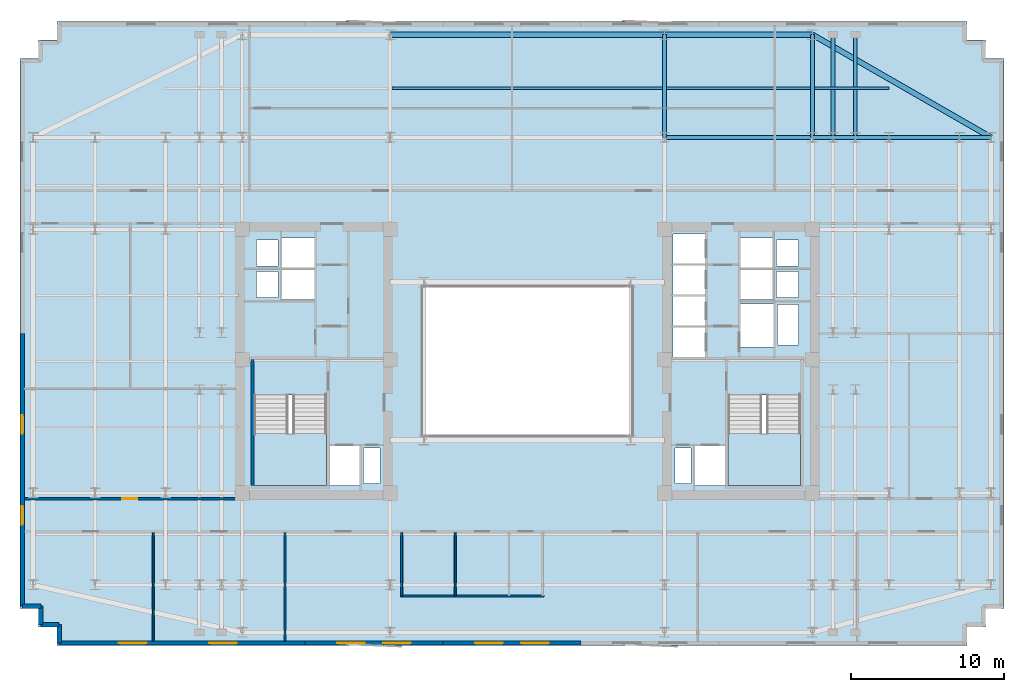
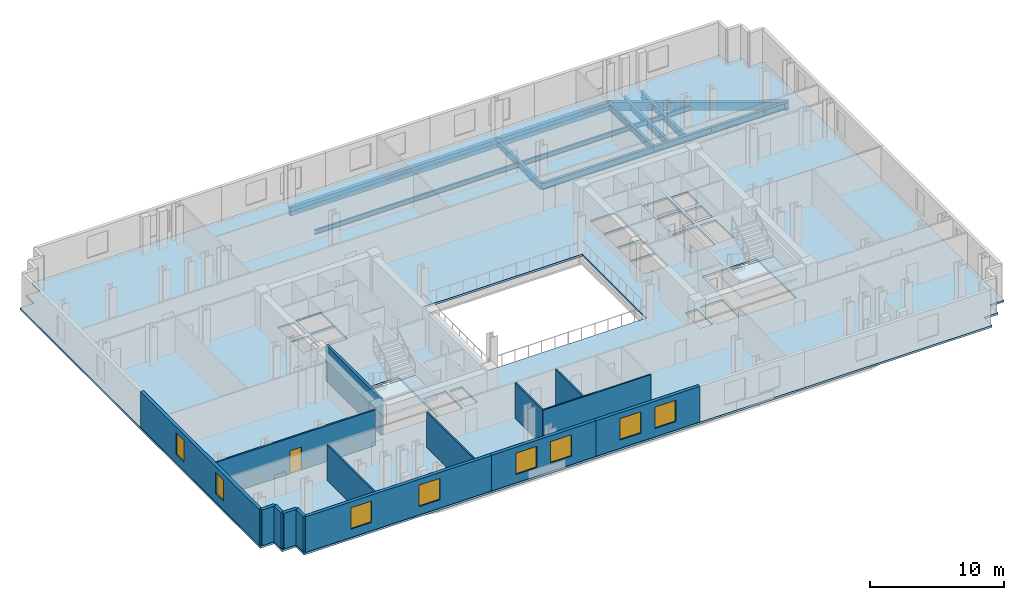
# One storey, part 3 of 10: 15 walls, 14 beams, 8 windows, 3 slabs, 1 door, 9 openings, 2 elements without a shape of their own.
"""IFC4 building model written with IfcOpenShell, lengths in metres."""

from ifc_helpers import new_model, si_unit, direction, frame, frame_2d, origin, origin_2d, place, context, subcontext, project, spatial, polyline, rectangle, i_section, outline, extrude, material, layer, layer_set, material_profile, profile_set, type_object, element, fill, aggregate, save


model = new_model("IFC4")

# Units and contexts
model_context = context("Model", 3, precision=1e-05, world=origin(), true_north=direction((0.0, 1.0)))
body_context = subcontext(model_context, "Body", "Model", "MODEL_VIEW")
ifc_project = project(units=[si_unit("LENGTHUNIT", "METRE"), si_unit("AREAUNIT", "SQUARE_METRE"), si_unit("VOLUMEUNIT", "CUBIC_METRE"), si_unit("PLANEANGLEUNIT", "RADIAN"), si_unit("MASSUNIT", "GRAM", prefix="KILO")], contexts=[model_context])

# Site, building, storey
site_placement = place(None, origin())
site = spatial("IfcSite", under=ifc_project, at=site_placement, CompositionType="ELEMENT")
building_placement = place(site_placement, origin())
building = spatial("IfcBuilding", under=site, at=building_placement, Name="Velakula Bourse", CompositionType="ELEMENT")
storey_placement = place(building_placement, frame((0.0, 0.0, 141.550048828125)))
storey = spatial("IfcBuildingStorey", under=building, at=storey_placement, Name="L38", CompositionType="ELEMENT", Elevation=141.550048828125)

# Beams
ifc_material_1 = material(Name="Steel IS 2062 Grade 350 (E350)", Category="steel")
ifc_material_profile_1 = material_profile(ifc_material_1, i_section(OverallWidth=0.25, OverallDepth=0.60009765625, WebThickness=0.01123046875, FlangeThickness=0.021240234375, at=origin_2d()), Name="Steel IS 2062 Grade 350 (E350)")
ifc_profile_set_1 = profile_set([ifc_material_profile_1], Name="Steel IS 2062 Grade 350 (E350)")
beam_type_1 = type_object("IfcBeamType", Name="BM-GRD-600M", PredefinedType="BEAM", material=ifc_profile_set_1)
beam_1_placement = place(storey_placement, frame((8.949951171875, 14.60009765625, -0.47998046875), z_axis=(1.0, 0.0, 0.0), x_axis=(0.0, 1.0, 0.0)))
element("IfcBeam", 1, at=beam_1_placement, inside=storey, type_object=beam_type_1, Name="L38 Fulcrum Grid Girder FLC-N3", PredefinedType="BEAM", context=body_context, shape_type="SweptSolid", body=[
    extrude(i_section(OverallWidth=0.25, OverallDepth=0.60009765625, WebThickness=0.01123046875, FlangeThickness=0.021240234375, at=origin_2d()), origin(), (0.0, 0.0, 1.0), 9.650146484375),
])
beam_2_placement = place(storey_placement, frame((18.60009765625, 14.60009765625, -0.47998046875), z_axis=(1.0, 0.0, 0.0), x_axis=(0.0, 1.0, 0.0)))
element("IfcBeam", 2, at=beam_2_placement, inside=storey, type_object=beam_type_1, Name="L38 Fulcrum Grid Girder MWG-EN2", PredefinedType="BEAM", context=body_context, shape_type="SweptSolid", body=[
    extrude(i_section(OverallWidth=0.25, OverallDepth=0.60009765625, WebThickness=0.01123046875, FlangeThickness=0.021240234375, at=origin_2d()), origin(), (0.0, 0.0, 1.0), 5.0),
])
beam_3_placement = place(storey_placement, frame((23.60009765625, 14.60009765625, -0.47998046875), z_axis=(1.0, 0.0, 0.0), x_axis=(0.0, 1.0, 0.0)))
element("IfcBeam", 3, at=beam_3_placement, inside=storey, type_object=beam_type_1, Name="L38 Fulcrum Grid Girder WNG-EN2", PredefinedType="BEAM", context=body_context, shape_type="SweptSolid", body=[
    extrude(i_section(OverallWidth=0.25, OverallDepth=0.60009765625, WebThickness=0.01123046875, FlangeThickness=0.021240234375, at=origin_2d()), origin(), (0.0, 0.0, 1.0), 4.599853515625),
])
for number, where, z_axis, x_axis, name in (
    (4, (8.949951171875, 14.60009765625, -0.47998046875), (0.0, 1.0, 0.0), (-1.0, 0.0, 0.0), "L38 Perimeter Tie Girder N3"),
    (5, (18.60009765625, 14.60009765625, -0.47998046875), (0.0, 1.0, 0.0), (-1.0, 0.0, 0.0), "L38 Perimeter Tie Girder N4"),
):
    element("IfcBeam", number, at=place(storey_placement, frame(where, z_axis=z_axis, x_axis=x_axis)), inside=storey, type_object=beam_type_1, Name=name, PredefinedType="BEAM", context=body_context, shape_type="SweptSolid", body=[
        extrude(i_section(OverallWidth=0.25, OverallDepth=0.60009765625, WebThickness=0.01123046875, FlangeThickness=0.021240234375, at=origin_2d()), origin(), (0.0, 0.0, 1.0), 6.699951171875),
    ])
beam_4_placement = place(storey_placement, frame((28.199951171875, 14.60009765625, -0.47998046875), z_axis=(1.0, 0.0, 0.0), x_axis=(0.0, 1.0, 0.0)))
element("IfcBeam", 6, at=beam_4_placement, inside=storey, type_object=beam_type_1, Name="L38 Perimeter Tie Girder E4", PredefinedType="BEAM", context=body_context, shape_type="SweptSolid", body=[
    extrude(i_section(OverallWidth=0.25, OverallDepth=0.60009765625, WebThickness=0.01123046875, FlangeThickness=0.021240234375, at=origin_2d()), origin(), (0.0, 0.0, 1.0), 2.050048828125),
])
for number, where, z_axis, x_axis, name in (
    (7, (19.949951171875, 14.60009765625, -0.47998046875), (0.0, 1.0, 0.0), (-1.0, 0.0, 0.0), "L38 Perimeter Tie Girder P07"),
    (8, (21.39990234375, 14.60009765625, -0.47998046875), (0.0, 1.0, 0.0), (-1.0, 0.0, 0.0), "L38 Perimeter Tie Girder P08"),
):
    element("IfcBeam", number, at=place(storey_placement, frame(where, z_axis=z_axis, x_axis=x_axis)), inside=storey, type_object=beam_type_1, Name=name, PredefinedType="BEAM", context=body_context, shape_type="SweptSolid", body=[
        extrude(i_section(OverallWidth=0.25, OverallDepth=0.60009765625, WebThickness=0.01123046875, FlangeThickness=0.021240234375, at=origin_2d()), origin(), (0.0, 0.0, 1.0), 6.699951171875),
    ])
ifc_material_profile_2 = material_profile(ifc_material_1, i_section(OverallWidth=0.14990234375, OverallDepth=0.449951171875, WebThickness=0.009521484375, FlangeThickness=0.017333984375, at=origin_2d()), Name="Steel IS 2062 Grade 350 (E350)")
ifc_profile_set_2 = profile_set([ifc_material_profile_2], Name="Steel IS 2062 Grade 350 (E350)")
beam_type_2 = type_object("IfcBeamType", Name="JST-TWR-450", PredefinedType="JOIST", material=ifc_profile_set_2)
beam_5_placement = place(storey_placement, frame((-8.824951171875, 17.800048828125, -0.405029296875), z_axis=(1.0, 0.0, 0.0), x_axis=(0.0, 1.0, 0.0)))
element("IfcBeam", 9, at=beam_5_placement, inside=storey, type_object=beam_type_2, Name="L38 Trading Floor Composite Joist 19", PredefinedType="JOIST", context=body_context, shape_type="SweptSolid", body=[
    extrude(i_section(OverallWidth=0.14990234375, OverallDepth=0.449951171875, WebThickness=0.009521484375, FlangeThickness=0.017333984375, at=origin_2d()), origin(), (0.0, 0.0, 1.0), 17.64990234375),
])
beam_6_placement = place(storey_placement, frame((9.074951171875, 17.800048828125, -0.405029296875), z_axis=(1.0, 0.0, 0.0), x_axis=(0.0, 1.0, 0.0)))
element("IfcBeam", 10, at=beam_6_placement, inside=storey, type_object=beam_type_2, Name="L38 Trading Floor Composite Joist 20", PredefinedType="JOIST", context=body_context, shape_type="SweptSolid", body=[
    extrude(i_section(OverallWidth=0.14990234375, OverallDepth=0.449951171875, WebThickness=0.009521484375, FlangeThickness=0.017333984375, at=origin_2d()), origin(), (0.0, 0.0, 1.0), 9.400146484375),
])
beam_7_placement = place(storey_placement, frame((18.72509765625, 17.800048828125, -0.405029296875), z_axis=(1.0, 0.0, 0.0), x_axis=(0.0, 1.0, 0.0)))
element("IfcBeam", 11, at=beam_7_placement, inside=storey, type_object=beam_type_2, Name="L38 Trading Floor Composite Joist 21", PredefinedType="JOIST", context=body_context, shape_type="SweptSolid", body=[
    extrude(i_section(OverallWidth=0.14990234375, OverallDepth=0.449951171875, WebThickness=0.009521484375, FlangeThickness=0.017333984375, at=origin_2d()), origin(), (0.0, 0.0, 1.0), 4.875),
])
ifc_material_2 = material(Name="Precast concrete M45 (fck 45 MPa)", Category="concrete")
ifc_material_profile_3 = material_profile(ifc_material_2, rectangle(XDim=0.35009765625, YDim=0.75, at=origin_2d()), Name="Precast concrete M45 (fck 45 MPa)")
ifc_profile_set_3 = profile_set([ifc_material_profile_3], Name="Precast concrete M45 (fck 45 MPa)")
beam_type_3 = type_object("IfcBeamType", Name="SPN-BRICK-750", PredefinedType="SPANDREL", material=ifc_profile_set_3)
beam_8_placement = place(storey_placement, frame((-8.949951171875, 21.300048828125, -0.554931640625), z_axis=(1.0, 0.0, 0.0), x_axis=(0.0, 1.0, 0.0)))
element("IfcBeam", 12, at=beam_8_placement, inside=storey, type_object=beam_type_3, Name="L38 Brick-Faced Precast Spandrel N2-N3", PredefinedType="SPANDREL", context=body_context, shape_type="SweptSolid", body=[
    extrude(rectangle(XDim=0.35009765625, YDim=0.75, at=origin_2d()), origin(), (0.0, 0.0, 1.0), 17.89990234375),
])
beam_9_placement = place(storey_placement, frame((8.949951171875, 21.300048828125, -0.554931640625), z_axis=(1.0, 0.0, 0.0), x_axis=(0.0, 1.0, 0.0)))
element("IfcBeam", 13, at=beam_9_placement, inside=storey, type_object=beam_type_3, Name="L38 Brick-Faced Precast Spandrel N3-N4", PredefinedType="SPANDREL", context=body_context, shape_type="SweptSolid", body=[
    extrude(rectangle(XDim=0.35009765625, YDim=0.75, at=origin_2d()), origin(), (0.0, 0.0, 1.0), 9.650146484375),
])
beam_10_placement = place(storey_placement, frame((30.25, 14.60009765625, -0.554931640625), z_axis=(-0.866865871572, 0.498541433286, 0.0), x_axis=(-0.498541433286, -0.866865871572, 0.0)))
element("IfcBeam", 14, at=beam_10_placement, inside=storey, type_object=beam_type_3, Name="L38 Brick-Faced Precast Spandrel E4-N4", PredefinedType="SPANDREL", context=body_context, shape_type="SweptSolid", body=[
    extrude(rectangle(XDim=0.35009765625, YDim=0.75, at=origin_2d()), origin(), (0.0, 0.0, 1.0), 13.439208984375),
])

# Stair, slab
ifc_material_3 = material(Name="Concrete M45 (fck 45 MPa)", Category="concrete")
stair_type = type_object("IfcStairType", Name="STR-DOG-390", PredefinedType="HALF_TURN_STAIR", material=ifc_material_3)
stair_1_placement = place(storey_placement, origin())
stair_1 = element("IfcStair", 15, at=stair_1_placement, inside=storey, type_object=stair_type, Name="L38 West Core Exit Stair ST-W1", PredefinedType="HALF_TURN_STAIR")
ifc_layer_1 = layer(ifc_material_3, 0.199951171875, Name="Concrete M45 (fck 45 MPa)", Category="concrete")
ifc_layer_set_1 = layer_set([ifc_layer_1], Name="Concrete M45 (fck 45 MPa)")
slab_type_1 = type_object("IfcSlabType", Name="SLB-STAIR-LND-200", PredefinedType="LANDING", material=ifc_layer_set_1)
slab_1_placement = place(storey_placement, frame((0.0, 0.0, 1.52490234375)))
slab_1 = element("IfcSlab", 16, at=slab_1_placement, type_object=slab_type_1, Name="ST-W1 landing 1", PredefinedType="LANDING", context=body_context, shape_type="SweptSolid", body=[
    extrude(outline(polyline([(-17.820068359375, -4.719970703125), (-17.820068359375, -8.10009765625), (-13.10009765625, -8.10009765625), (-13.10009765625, -4.719970703125), (-17.820068359375, -4.719970703125)])), origin(), (0.0, 0.0, 1.0), 0.199951171875),
])
aggregate(stair_1, [slab_1])

stair_2_placement = place(storey_placement, origin())
stair_2 = element("IfcStair", 17, at=stair_2_placement, inside=storey, type_object=stair_type, Name="L38 East Core Exit Stair ST-E1", PredefinedType="HALF_TURN_STAIR")
slab_2_placement = place(storey_placement, frame((0.0, 0.0, 1.52490234375)))
slab_2 = element("IfcSlab", 18, at=slab_2_placement, type_object=slab_type_1, Name="ST-E1 landing 1", PredefinedType="LANDING", context=body_context, shape_type="SweptSolid", body=[
    extrude(outline(polyline([(13.10009765625, -4.719970703125), (13.10009765625, -8.10009765625), (17.820068359375, -8.10009765625), (17.820068359375, -4.719970703125), (13.10009765625, -4.719970703125)])), origin(), (0.0, 0.0, 1.0), 0.199951171875),
])
aggregate(stair_2, [slab_2])

# Slab
ifc_material_4 = material(Name="Concrete M50 (fck 50 MPa)", Category="concrete")
ifc_layer_2 = layer(ifc_material_4, 0.179931640625, Name="Concrete M50 (fck 50 MPa)", Category="concrete")
ifc_layer_set_2 = layer_set([ifc_layer_2], Name="Concrete M50 (fck 50 MPa)")
slab_type_2 = type_object("IfcSlabType", Name="SLB-TWR-180", PredefinedType="FLOOR", material=ifc_layer_set_2)
slab_3_placement = place(storey_placement, frame((0.0, 0.0, -0.179931640625)))
element("IfcSlab", 19, at=slab_3_placement, inside=storey, type_object=slab_type_2, Name="L38 Suspended Structural Floor Slab", PredefinedType="FLOOR", context=body_context, shape_type="SweptSolid", body=[
    extrude(outline(polyline([(-30.699951171875, -18.550048828125), (28.699951171875, -18.550048828125), (28.699951171875, -17.35009765625), (29.89990234375, -17.35009765625), (29.89990234375, -16.14990234375), (31.10009765625, -16.14990234375), (31.10009765625, 19.75), (29.89990234375, 19.75), (29.89990234375, 20.949951171875), (28.699951171875, 20.949951171875), (28.699951171875, 22.14990234375), (-30.699951171875, 22.14990234375), (-30.699951171875, 20.949951171875), (-31.89990234375, 20.949951171875), (-31.89990234375, 19.75), (-33.10009765625, 19.75), (-33.10009765625, -16.14990234375), (-31.89990234375, -16.14990234375), (-31.89990234375, -17.35009765625), (-30.699951171875, -17.35009765625), (-30.699951171875, -18.550048828125)]), holes=[polyline([(-17.820068359375, -8.10009765625), (-13.10009765625, -8.10009765625), (-13.10009765625, -2.199951171875), (-17.820068359375, -2.199951171875), (-17.820068359375, -8.10009765625)]), polyline([(13.10009765625, -8.10009765625), (17.820068359375, -8.10009765625), (17.820068359375, -2.199951171875), (13.10009765625, -2.199951171875), (13.10009765625, -8.10009765625)]), polyline([(-12.89990234375, -8.10009765625), (-10.949951171875, -8.10009765625), (-10.949951171875, -5.550048828125), (-12.89990234375, -5.550048828125), (-12.89990234375, -8.10009765625)]), polyline([(10.949951171875, -8.10009765625), (12.89990234375, -8.10009765625), (12.89990234375, -5.550048828125), (10.949951171875, -5.550048828125), (10.949951171875, -8.10009765625)]), polyline([(13.89990234375, 0.919921875), (16.050048828125, 0.919921875), (16.050048828125, 3.719970703125), (13.89990234375, 3.719970703125), (13.89990234375, 0.919921875)]), polyline([(-10.679931640625, -7.97998046875), (-9.6201171875, -7.97998046875), (-9.6201171875, -5.669921875), (-10.679931640625, -5.669921875), (-10.679931640625, -7.97998046875)]), polyline([(-17.679931640625, 4.139892578125), (-16.27001953125, 4.139892578125), (-16.27001953125, 5.85009765625), (-17.679931640625, 5.85009765625), (-17.679931640625, 4.139892578125)]), polyline([(-17.679931640625, 6.2099609375), (-16.27001953125, 6.2099609375), (-16.27001953125, 7.919921875), (-17.679931640625, 7.919921875), (-17.679931640625, 6.2099609375)]), polyline([(9.6201171875, -7.97998046875), (10.679931640625, -7.97998046875), (10.679931640625, -5.669921875), (9.6201171875, -5.669921875), (9.6201171875, -7.97998046875)]), polyline([(16.27001953125, 4.139892578125), (17.679931640625, 4.139892578125), (17.679931640625, 5.85009765625), (16.27001953125, 5.85009765625), (16.27001953125, 4.139892578125)]), polyline([(16.27001953125, 6.2099609375), (17.679931640625, 6.2099609375), (17.679931640625, 7.919921875), (16.27001953125, 7.919921875), (16.27001953125, 6.2099609375)]), polyline([(16.320068359375, 1.0400390625), (17.679931640625, 1.0400390625), (17.679931640625, 3.699951171875), (16.320068359375, 3.699951171875), (16.320068359375, 1.0400390625)]), polyline([(9.5, 0.280029296875), (11.60009765625, 0.280029296875), (11.60009765625, 2.199951171875), (9.5, 2.199951171875), (9.5, 0.280029296875)]), polyline([(9.5, 2.31005859375), (11.60009765625, 2.31005859375), (11.60009765625, 4.22998046875), (9.5, 4.22998046875), (9.5, 2.31005859375)]), polyline([(9.5, 4.340087890625), (11.60009765625, 4.340087890625), (11.60009765625, 6.260009765625), (9.5, 6.260009765625), (9.5, 4.340087890625)]), polyline([(9.5, 6.3701171875), (11.60009765625, 6.3701171875), (11.60009765625, 8.2900390625), (9.5, 8.2900390625), (9.5, 6.3701171875)]), polyline([(-16.0, 4.02001953125), (-13.89990234375, 4.02001953125), (-13.89990234375, 5.969970703125), (-16.0, 5.969970703125), (-16.0, 4.02001953125)]), polyline([(-16.0, 6.090087890625), (-13.89990234375, 6.090087890625), (-13.89990234375, 8.0400390625), (-16.0, 8.0400390625), (-16.0, 6.090087890625)]), polyline([(13.89990234375, 4.02001953125), (16.0, 4.02001953125), (16.0, 5.969970703125), (13.89990234375, 5.969970703125), (13.89990234375, 4.02001953125)]), polyline([(13.89990234375, 6.090087890625), (16.0, 6.090087890625), (16.0, 8.0400390625), (13.89990234375, 8.0400390625), (13.89990234375, 6.090087890625)]), polyline([(-6.800048828125, -4.800048828125), (6.800048828125, -4.800048828125), (6.800048828125, 4.800048828125), (-6.800048828125, 4.800048828125), (-6.800048828125, -4.800048828125)])]), origin(), (0.0, 0.0, 1.0), 0.179931640625),
])

# Wall
ifc_layer_3 = layer(ifc_material_4, 0.2099609375, Name="Concrete M50 (fck 50 MPa)", Category="concrete")
ifc_layer_set_3 = layer_set([ifc_layer_3], Name="Concrete M50 (fck 50 MPa)")
wall_type_1 = type_object("IfcWallType", Name="WL-CORE-210", PredefinedType="SHEAR", material=ifc_layer_set_3)
wall_1_placement = place(storey_placement, frame((-17.925048828125, -8.10009765625, 0.0), z_axis=(0.0, 0.0, 1.0), x_axis=(0.0, 1.0, 0.0)))
element("IfcWall", 20, at=wall_1_placement, inside=storey, type_object=wall_type_1, Name="L38 Core W Stairwell Shear Wall OUT", PredefinedType="SHEAR", context=body_context, shape_type="SweptSolid", body=[
    extrude(rectangle(XDim=8.2001953125, YDim=0.2099609375, at=frame_2d((4.10009765625, 0.0))), origin(), (0.0, 0.0, 1.0), 3.27001953125),
])

# Wall, openings, windows
ifc_material_5 = material(Name="Red kilned clay facing brick masonry", Category="masonry")
ifc_layer_4 = layer(ifc_material_5, 0.280029296875, Name="Red kilned clay facing brick masonry", Category="masonry")
ifc_layer_set_4 = layer_set([ifc_layer_4], Name="Red kilned clay facing brick masonry")
wall_type_2 = type_object("IfcWallType", Name="WL-EXT-BRK-280", PredefinedType="STANDARD", material=ifc_layer_set_4)
wall_2_placement = place(storey_placement, frame((-14.5, -18.389892578125, 0.0), z_axis=(0.0, 0.0, 1.0), x_axis=(-1.0, 0.0, 0.0)))
wall_2 = element("IfcWall", 21, at=wall_2_placement, inside=storey, type_object=wall_type_2, Name="L38 S Brick Spandrel Wall B1", PredefinedType="STANDARD", context=body_context, shape_type="SweptSolid", body=[
    extrude(rectangle(XDim=16.0400390625, YDim=0.280029296875, at=frame_2d((8.02001953125, 0.0))), origin(), (0.0, 0.0, 1.0), 3.25),
])
opening_1_placement = place(wall_2_placement, frame((4.44677734375, 0.0, 0.760009765625)))
opening_1 = element("IfcOpeningElement", 22, at=opening_1_placement, cuts=wall_2, Name="Opening W-01", PredefinedType="OPENING", context=body_context, shape_type="SweptSolid", body=[
    extrude(rectangle(XDim=1.800048828125, YDim=1.949951171875, at=frame_2d((0.89990234375, 0.97509765625))), frame((0.0, 0.14990234375, 0.0), z_axis=(0.0, -1.0, 0.0), x_axis=(1.0, 0.0, 0.0)), (0.0, 0.0, 1.0), 0.300048828125),
])
opening_2_placement = place(wall_2_placement, frame((10.34326171875, 0.0, 0.760009765625)))
opening_2 = element("IfcOpeningElement", 23, at=opening_2_placement, cuts=wall_2, Name="Opening W-01", PredefinedType="OPENING", context=body_context, shape_type="SweptSolid", body=[
    extrude(rectangle(XDim=1.800048828125, YDim=1.949951171875, at=frame_2d((0.89990234375, 0.97509765625))), frame((0.0, 0.14990234375, 0.0), z_axis=(0.0, -1.0, 0.0), x_axis=(1.0, 0.0, 0.0)), (0.0, 0.0, 1.0), 0.300048828125),
])
ifc_material_6 = material(Name="Double-glazed solar-control Low-E glass", Category="glass")
window_type_1 = type_object("IfcWindowType", Name="WIN-TWR-1800x2100", PartitioningType="SINGLE_PANEL", PredefinedType="WINDOW", material=ifc_material_6)
window_1_placement = place(opening_1_placement, origin())
window_1 = element("IfcWindow", 24, at=window_1_placement, inside=storey, type_object=window_type_1, Name="L38 Deep-Set Recessed Window 1", OverallHeight=1.949951171875, OverallWidth=1.800048828125, PartitioningType="SINGLE_PANEL", PredefinedType="WINDOW", context=body_context, shape_type="SweptSolid", body=[
    extrude(rectangle(XDim=1.800048828125, YDim=1.949951171875, at=frame_2d((0.89990234375, 0.97509765625))), frame((0.0, 0.030029296875, 0.0), z_axis=(0.0, -1.0, 0.0), x_axis=(1.0, 0.0, 0.0)), (0.0, 0.0, 1.0), 0.06005859375),
])
fill(opening_1, window_1)
window_2_placement = place(opening_2_placement, origin())
window_2 = element("IfcWindow", 25, at=window_2_placement, inside=storey, type_object=window_type_1, Name="L38 Deep-Set Recessed Window 2", OverallHeight=1.949951171875, OverallWidth=1.800048828125, PartitioningType="SINGLE_PANEL", PredefinedType="WINDOW", context=body_context, shape_type="SweptSolid", body=[
    extrude(rectangle(XDim=1.800048828125, YDim=1.949951171875, at=frame_2d((0.89990234375, 0.97509765625))), frame((0.0, 0.030029296875, 0.0), z_axis=(0.0, -1.0, 0.0), x_axis=(1.0, 0.0, 0.0)), (0.0, 0.0, 1.0), 0.06005859375),
])
fill(opening_2, window_2)

wall_3_placement = place(storey_placement, frame((-5.5, -18.389892578125, 0.0), z_axis=(0.0, 0.0, 1.0), x_axis=(-1.0, 0.0, 0.0)))
wall_3 = element("IfcWall", 26, at=wall_3_placement, inside=storey, type_object=wall_type_2, Name="L38 S Brick Spandrel Wall B2", PredefinedType="STANDARD", context=body_context, shape_type="SweptSolid", body=[
    extrude(rectangle(XDim=9.0, YDim=0.280029296875, at=frame_2d((4.5, 0.0))), origin(), (0.0, 0.0, 1.0), 3.25),
])
opening_3_placement = place(wall_3_placement, frame((2.10009765625, 0.0, 0.760009765625)))
opening_3 = element("IfcOpeningElement", 27, at=opening_3_placement, cuts=wall_3, Name="Opening W-01", PredefinedType="OPENING", context=body_context, shape_type="SweptSolid", body=[
    extrude(rectangle(XDim=1.800048828125, YDim=1.949951171875, at=frame_2d((0.89990234375, 0.97509765625))), frame((0.0, 0.14990234375, 0.0), z_axis=(0.0, -1.0, 0.0), x_axis=(1.0, 0.0, 0.0)), (0.0, 0.0, 1.0), 0.300048828125),
])
opening_4_placement = place(wall_3_placement, frame((5.10009765625, 0.0, 0.760009765625)))
opening_4 = element("IfcOpeningElement", 28, at=opening_4_placement, cuts=wall_3, Name="Opening W-01", PredefinedType="OPENING", context=body_context, shape_type="SweptSolid", body=[
    extrude(rectangle(XDim=1.800048828125, YDim=1.949951171875, at=frame_2d((0.89990234375, 0.97509765625))), frame((0.0, 0.14990234375, 0.0), z_axis=(0.0, -1.0, 0.0), x_axis=(1.0, 0.0, 0.0)), (0.0, 0.0, 1.0), 0.300048828125),
])
window_3_placement = place(opening_3_placement, origin())
window_3 = element("IfcWindow", 29, at=window_3_placement, inside=storey, type_object=window_type_1, Name="L38 Deep-Set Recessed Window 1", OverallHeight=1.949951171875, OverallWidth=1.800048828125, PartitioningType="SINGLE_PANEL", PredefinedType="WINDOW", context=body_context, shape_type="SweptSolid", body=[
    extrude(rectangle(XDim=1.800048828125, YDim=1.949951171875, at=frame_2d((0.89990234375, 0.97509765625))), frame((0.0, 0.030029296875, 0.0), z_axis=(0.0, -1.0, 0.0), x_axis=(1.0, 0.0, 0.0)), (0.0, 0.0, 1.0), 0.06005859375),
])
fill(opening_3, window_3)
window_4_placement = place(opening_4_placement, origin())
window_4 = element("IfcWindow", 30, at=window_4_placement, inside=storey, type_object=window_type_1, Name="L38 Deep-Set Recessed Window 2", OverallHeight=1.949951171875, OverallWidth=1.800048828125, PartitioningType="SINGLE_PANEL", PredefinedType="WINDOW", context=body_context, shape_type="SweptSolid", body=[
    extrude(rectangle(XDim=1.800048828125, YDim=1.949951171875, at=frame_2d((0.89990234375, 0.97509765625))), frame((0.0, 0.030029296875, 0.0), z_axis=(0.0, -1.0, 0.0), x_axis=(1.0, 0.0, 0.0)), (0.0, 0.0, 1.0), 0.06005859375),
])
fill(opening_4, window_4)

wall_4_placement = place(storey_placement, frame((3.5, -18.389892578125, 0.0), z_axis=(0.0, 0.0, 1.0), x_axis=(-1.0, 0.0, 0.0)))
wall_4 = element("IfcWall", 31, at=wall_4_placement, inside=storey, type_object=wall_type_2, Name="L38 S Brick Spandrel Wall B3", PredefinedType="STANDARD", context=body_context, shape_type="SweptSolid", body=[
    extrude(rectangle(XDim=9.0, YDim=0.280029296875, at=frame_2d((4.5, 0.0))), origin(), (0.0, 0.0, 1.0), 3.25),
])
opening_5_placement = place(wall_4_placement, frame((2.10009765625, 0.0, 0.760009765625)))
opening_5 = element("IfcOpeningElement", 32, at=opening_5_placement, cuts=wall_4, Name="Opening W-01", PredefinedType="OPENING", context=body_context, shape_type="SweptSolid", body=[
    extrude(rectangle(XDim=1.800048828125, YDim=1.949951171875, at=frame_2d((0.89990234375, 0.97509765625))), frame((0.0, 0.14990234375, 0.0), z_axis=(0.0, -1.0, 0.0), x_axis=(1.0, 0.0, 0.0)), (0.0, 0.0, 1.0), 0.300048828125),
])
opening_6_placement = place(wall_4_placement, frame((5.10009765625, 0.0, 0.760009765625)))
opening_6 = element("IfcOpeningElement", 33, at=opening_6_placement, cuts=wall_4, Name="Opening W-01", PredefinedType="OPENING", context=body_context, shape_type="SweptSolid", body=[
    extrude(rectangle(XDim=1.800048828125, YDim=1.949951171875, at=frame_2d((0.89990234375, 0.97509765625))), frame((0.0, 0.14990234375, 0.0), z_axis=(0.0, -1.0, 0.0), x_axis=(1.0, 0.0, 0.0)), (0.0, 0.0, 1.0), 0.300048828125),
])
window_5_placement = place(opening_5_placement, origin())
window_5 = element("IfcWindow", 34, at=window_5_placement, inside=storey, type_object=window_type_1, Name="L38 Deep-Set Recessed Window 1", OverallHeight=1.949951171875, OverallWidth=1.800048828125, PartitioningType="SINGLE_PANEL", PredefinedType="WINDOW", context=body_context, shape_type="SweptSolid", body=[
    extrude(rectangle(XDim=1.800048828125, YDim=1.949951171875, at=frame_2d((0.89990234375, 0.97509765625))), frame((0.0, 0.030029296875, 0.0), z_axis=(0.0, -1.0, 0.0), x_axis=(1.0, 0.0, 0.0)), (0.0, 0.0, 1.0), 0.06005859375),
])
fill(opening_5, window_5)
window_6_placement = place(opening_6_placement, origin())
window_6 = element("IfcWindow", 35, at=window_6_placement, inside=storey, type_object=window_type_1, Name="L38 Deep-Set Recessed Window 2", OverallHeight=1.949951171875, OverallWidth=1.800048828125, PartitioningType="SINGLE_PANEL", PredefinedType="WINDOW", context=body_context, shape_type="SweptSolid", body=[
    extrude(rectangle(XDim=1.800048828125, YDim=1.949951171875, at=frame_2d((0.89990234375, 0.97509765625))), frame((0.0, 0.030029296875, 0.0), z_axis=(0.0, -1.0, 0.0), x_axis=(1.0, 0.0, 0.0)), (0.0, 0.0, 1.0), 0.06005859375),
])
fill(opening_6, window_6)

wall_5_placement = place(storey_placement, frame((-32.93994140625, -15.989990234375, 0.0), z_axis=(0.0, 0.0, 1.0), x_axis=(0.0, 1.0, 0.0)))
wall_5 = element("IfcWall", 36, at=wall_5_placement, inside=storey, type_object=wall_type_2, Name="L38 W Brick End Wall W1", PredefinedType="STANDARD", context=body_context, shape_type="SweptSolid", body=[
    extrude(rectangle(XDim=17.7900390625, YDim=0.280029296875, at=frame_2d((8.89501953125, 0.0))), origin(), (0.0, 0.0, 1.0), 3.25),
])
opening_7_placement = place(wall_5_placement, frame((5.330078125, 0.0, 0.760009765625)))
opening_7 = element("IfcOpeningElement", 37, at=opening_7_placement, cuts=wall_5, Name="Opening W-04", PredefinedType="OPENING", context=body_context, shape_type="SweptSolid", body=[
    extrude(rectangle(XDim=1.199951171875, YDim=1.949951171875, at=frame_2d((0.60009765625, 0.97509765625))), frame((0.0, 0.14990234375, 0.0), z_axis=(0.0, -1.0, 0.0), x_axis=(1.0, 0.0, 0.0)), (0.0, 0.0, 1.0), 0.300048828125),
])
opening_8_placement = place(wall_5_placement, frame((11.260009765625, 0.0, 0.760009765625)))
opening_8 = element("IfcOpeningElement", 38, at=opening_8_placement, cuts=wall_5, Name="Opening W-04", PredefinedType="OPENING", context=body_context, shape_type="SweptSolid", body=[
    extrude(rectangle(XDim=1.199951171875, YDim=1.949951171875, at=frame_2d((0.60009765625, 0.97509765625))), frame((0.0, 0.14990234375, 0.0), z_axis=(0.0, -1.0, 0.0), x_axis=(1.0, 0.0, 0.0)), (0.0, 0.0, 1.0), 0.300048828125),
])
window_type_2 = type_object("IfcWindowType", Name="WIN-TWR-1200x2100", PartitioningType="SINGLE_PANEL", PredefinedType="WINDOW", material=ifc_material_6)
window_7_placement = place(opening_7_placement, origin())
window_7 = element("IfcWindow", 39, at=window_7_placement, inside=storey, type_object=window_type_2, Name="L38 Deep-Set Recessed Window 1", OverallHeight=1.949951171875, OverallWidth=1.199951171875, PartitioningType="SINGLE_PANEL", PredefinedType="WINDOW", context=body_context, shape_type="SweptSolid", body=[
    extrude(rectangle(XDim=1.199951171875, YDim=1.949951171875, at=frame_2d((0.60009765625, 0.97509765625))), frame((0.0, 0.030029296875, 0.0), z_axis=(0.0, -1.0, 0.0), x_axis=(1.0, 0.0, 0.0)), (0.0, 0.0, 1.0), 0.06005859375),
])
fill(opening_7, window_7)
window_8_placement = place(opening_8_placement, origin())
window_8 = element("IfcWindow", 40, at=window_8_placement, inside=storey, type_object=window_type_2, Name="L38 Deep-Set Recessed Window 2", OverallHeight=1.949951171875, OverallWidth=1.199951171875, PartitioningType="SINGLE_PANEL", PredefinedType="WINDOW", context=body_context, shape_type="SweptSolid", body=[
    extrude(rectangle(XDim=1.199951171875, YDim=1.949951171875, at=frame_2d((0.60009765625, 0.97509765625))), frame((0.0, 0.030029296875, 0.0), z_axis=(0.0, -1.0, 0.0), x_axis=(1.0, 0.0, 0.0)), (0.0, 0.0, 1.0), 0.06005859375),
])
fill(opening_8, window_8)

# Walls
for number, where, z_axis, x_axis, name in (
    (41, (-32.93994140625, -15.989990234375, 0.0), (0.0, 0.0, 1.0), (1.0, 0.0, 0.0), "L38 Serrated Corner Brick Wall SW-1"),
    (42, (-31.739990234375, -15.989990234375, 0.0), (0.0, 0.0, 1.0), (0.0, -1.0, 0.0), "L38 Serrated Corner Brick Wall SW-2"),
    (43, (-31.739990234375, -17.18994140625, 0.0), (0.0, 0.0, 1.0), (1.0, 0.0, 0.0), "L38 Serrated Corner Brick Wall SW-3"),
    (44, (-30.5400390625, -17.18994140625, 0.0), (0.0, 0.0, 1.0), (0.0, -1.0, 0.0), "L38 Serrated Corner Brick Wall SW-4"),
):
    element("IfcWall", number, at=place(storey_placement, frame(where, z_axis=z_axis, x_axis=x_axis)), inside=storey, type_object=wall_type_2, Name=name, PredefinedType="STANDARD", context=body_context, shape_type="SweptSolid", body=[
        extrude(rectangle(XDim=1.199951171875, YDim=0.280029296875, at=frame_2d((0.60009765625, 0.0))), origin(), (0.0, 0.0, 1.0), 3.25),
    ])
ifc_material_7 = material(Name="Fire-rated double-layer gypsum drywall partition", Category="gypsum")
ifc_layer_5 = layer(ifc_material_7, 0.1201171875, Name="Fire-rated double-layer gypsum drywall partition", Category="gypsum")
ifc_layer_set_5 = layer_set([ifc_layer_5], Name="Fire-rated double-layer gypsum drywall partition")
wall_type_3 = type_object("IfcWallType", Name="WL-PART-120", PredefinedType="STANDARD", material=ifc_layer_set_5)
wall_6_placement = place(storey_placement, frame((-8.260009765625, -15.320068359375, 0.0), z_axis=(0.0, 0.0, 1.0), x_axis=(1.0, 0.0, 0.0)))
element("IfcWall", 45, at=wall_6_placement, inside=storey, type_object=wall_type_3, Name="L38 Interior Partition WL-WC-L38-BACK", PredefinedType="STANDARD", context=body_context, shape_type="SweptSolid", body=[
    extrude(rectangle(XDim=9.320068359375, YDim=0.1201171875, at=frame_2d((4.66015625, 0.0))), origin(), (0.0, 0.0, 1.0), 3.25),
])
for number, where, z_axis, x_axis, name in (
    (46, (-8.199951171875, -15.320068359375, 0.0), (0.0, 0.0, 1.0), (0.0, 1.0, 0.0), "L38 Interior Partition WL-WC-L38-V1"),
    (47, (-4.699951171875, -15.320068359375, 0.0), (0.0, 0.0, 1.0), (0.0, 1.0, 0.0), "L38 Interior Partition WL-WC-L38-V2"),
):
    element("IfcWall", number, at=place(storey_placement, frame(where, z_axis=z_axis, x_axis=x_axis)), inside=storey, type_object=wall_type_3, Name=name, PredefinedType="STANDARD", context=body_context, shape_type="SweptSolid", body=[
        extrude(rectangle(XDim=4.130126953125, YDim=0.1201171875, at=frame_2d((2.06494140625, 0.0))), origin(), (0.0, 0.0, 1.0), 3.25),
    ])
for number, where, z_axis, x_axis, name in (
    (48, (-24.409912109375, -18.27001953125, 0.0), (0.0, 0.0, 1.0), (0.0, 1.0, 0.0), "L38 Interior Partition WL-INT-L38-SL-D5"),
    (49, (-15.81396484375, -18.27001953125, 0.0), (0.0, 0.0, 1.0), (0.0, 1.0, 0.0), "L38 Interior Partition WL-INT-L38-SL-D6"),
):
    element("IfcWall", number, at=place(storey_placement, frame(where, z_axis=z_axis, x_axis=x_axis)), inside=storey, type_object=wall_type_3, Name=name, PredefinedType="STANDARD", context=body_context, shape_type="SweptSolid", body=[
        extrude(rectangle(XDim=7.080078125, YDim=0.1201171875, at=frame_2d((3.5400390625, 0.0))), origin(), (0.0, 0.0, 1.0), 3.25),
    ])

# Wall, opening, door
ifc_layer_6 = layer(ifc_material_7, 0.139892578125, Name="Fire-rated double-layer gypsum drywall partition", Category="gypsum")
ifc_layer_set_6 = layer_set([ifc_layer_6], Name="Fire-rated double-layer gypsum drywall partition")
wall_type_4 = type_object("IfcWallType", Name="WL-PART-140", PredefinedType="STANDARD", material=ifc_layer_set_6)
wall_7_placement = place(storey_placement, frame((-32.820068359375, -8.97998046875, 0.0), z_axis=(0.0, 0.0, 1.0), x_axis=(1.0, 0.0, 0.0)))
wall_7 = element("IfcWall", 50, at=wall_7_placement, inside=storey, type_object=wall_type_4, Name="L38 Interior Partition WL-INT-L38-W-SC", PredefinedType="STANDARD", context=body_context, shape_type="SweptSolid", body=[
    extrude(rectangle(XDim=13.77001953125, YDim=0.139892578125, at=frame_2d((6.885009765625, 0.0))), origin(), (0.0, 0.0, 1.0), 3.25),
])
opening_9_placement = place(wall_7_placement, frame((6.385009765625, 0.0, 0.0)))
opening_9 = element("IfcOpeningElement", 51, at=opening_9_placement, cuts=wall_7, Name="Opening D-OF1", PredefinedType="OPENING", context=body_context, shape_type="SweptSolid", body=[
    extrude(rectangle(XDim=1.0, YDim=2.080078125, at=frame_2d((0.5, 1.0400390625))), frame((0.0, 0.079833984375, 0.0), z_axis=(0.0, -1.0, 0.0), x_axis=(1.0, 0.0, 0.0)), (0.0, 0.0, 1.0), 0.159912109375),
])
ifc_material_8 = material(Name="Fire-rated hardwood flush architectural door", Category="wood")
door_type = type_object("IfcDoorType", Name="DR-OFF-1000", OperationType="NOTDEFINED", PredefinedType="DOOR", material=ifc_material_8)
door_placement = place(opening_9_placement, origin())
door = element("IfcDoor", 52, at=door_placement, inside=storey, type_object=door_type, Name="L38 Asset Allocation Office Door", OperationType="SINGLE_SWING_RIGHT", OverallHeight=2.080078125, OverallWidth=1.0, PredefinedType="DOOR", context=body_context, shape_type="SweptSolid", body=[
    extrude(rectangle(XDim=1.0, YDim=2.080078125, at=frame_2d((0.5, 1.0400390625))), frame((0.0, 0.02490234375, 0.0), z_axis=(0.0, -1.0, 0.0), x_axis=(1.0, 0.0, 0.0)), (0.0, 0.0, 1.0), 0.050048828125),
])
fill(opening_9, door)

save(model, "model.ifc")
